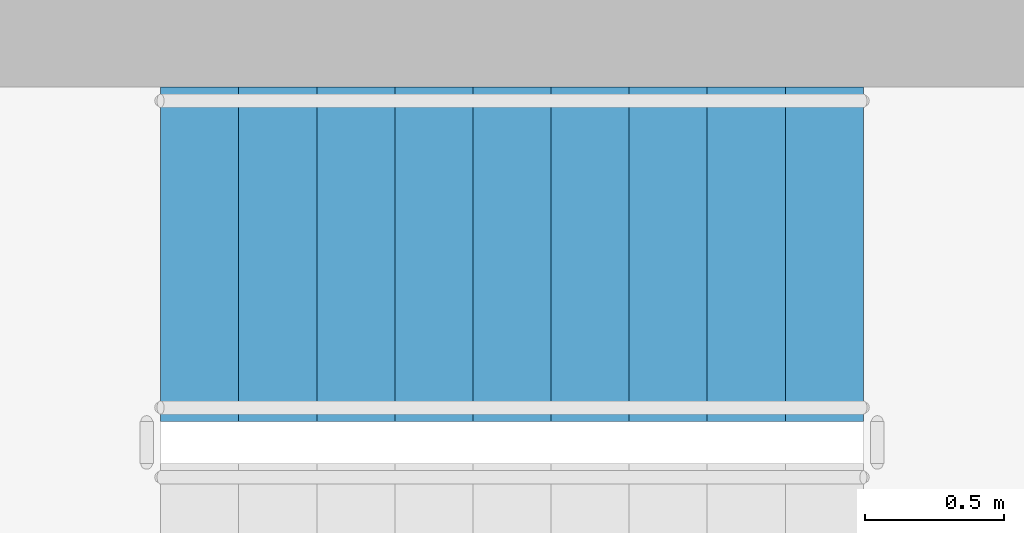
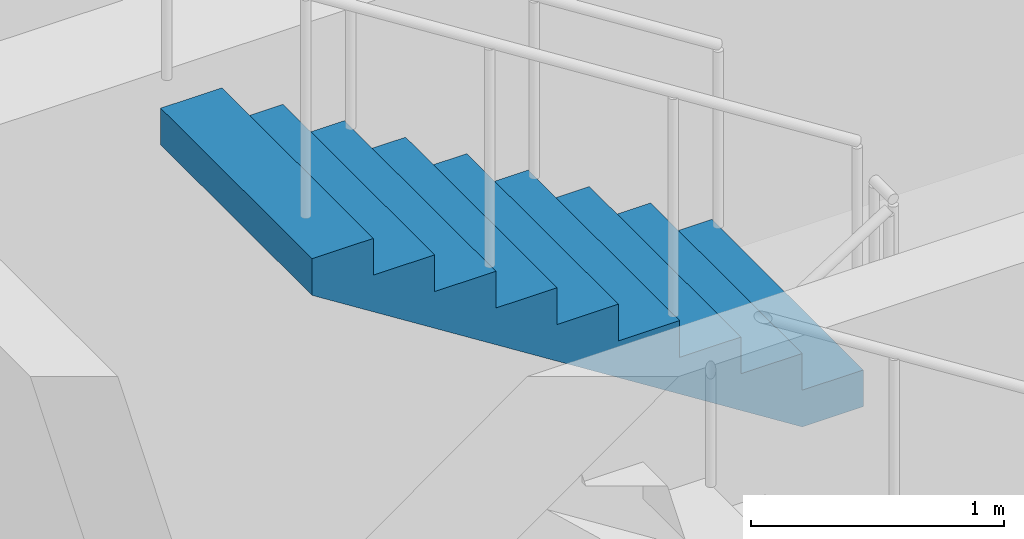
# One storey, part 10 of 14: 1 stair flight, 1 element without a shape of its own.
"""IFC4 building model written with IfcOpenShell, lengths in metres."""

import ifcopenshell
import ifcopenshell.guid

model = None  # the IFC model being written
_history = None  # IfcOwnerHistory: only IFC2X3 demands one
_inside = {}  # id of a spatial element -> (the spatial element, [elements in it])
_under = {}  # id of a project, library or spatial element -> (it, [spatial elements below it])
_declared = {}  # id of a project -> (the project, [libraries it declares])
_typed = {}  # id of a type object -> (the type object, [elements of that type])
_made_of = {}  # id of a material, layer set ... -> (it, [elements and type objects made of it])


def new_model(schema):
    """Start an empty IFC model of exactly this schema.

    Asked for "IFC4X3", IfcOpenShell would pick the latest addendum, in which some entities
    have other attributes; the version numbers below select the first issue.
    IFC2X3 requires an IfcOwnerHistory on every rooted entity: one is made here for all.
    """
    global model, _history
    if schema == "IFC4X3":
        model = ifcopenshell.file(schema_version=(4, 3, 0, 0))
    else:
        model = ifcopenshell.file(schema=schema)
    _inside.clear()
    _under.clear()
    _declared.clear()
    _typed.clear()
    _made_of.clear()
    _history = None
    if model.schema == "IFC2X3":
        org = make("IfcOrganization", Name="unknown")
        user = make(
            "IfcPersonAndOrganization",
            ThePerson=make("IfcPerson", FamilyName="unknown"),
            TheOrganization=org,
        )
        app = make(
            "IfcApplication",
            ApplicationDeveloper=org,
            Version="unknown",
            ApplicationFullName="unknown",
            ApplicationIdentifier="unknown",
        )
        _history = make(
            "IfcOwnerHistory",
            OwningUser=user,
            OwningApplication=app,
            ChangeAction="ADDED",
            CreationDate=0,
        )
    return model


def make(cls, **values):
    """One entity of the class cls with the attributes given. An attribute that is None is left unset."""
    return model.create_entity(
        cls, **{name: value for name, value in values.items() if value is not None}
    )


def rooted(cls, **values):
    """An entity with a GlobalId (a new one), such as an element, a storey or a relation."""
    return make(cls, GlobalId=ifcopenshell.guid.new(), OwnerHistory=_history, **values)


def si_unit(unit_type, name, prefix=None):
    """IfcSIUnit, for example si_unit("LENGTHUNIT", "METRE", prefix="MILLI")."""
    return make("IfcSIUnit", UnitType=unit_type, Prefix=prefix, Name=name)


def assignment(units):
    """IfcUnitAssignment: the units of a project."""
    return None if units is None else make("IfcUnitAssignment", Units=units)


def point(xyz):
    """IfcCartesianPoint."""
    return None if xyz is None else make("IfcCartesianPoint", Coordinates=xyz)


def direction(xyz):
    """IfcDirection."""
    return None if xyz is None else make("IfcDirection", DirectionRatios=xyz)


def frame(location, z_axis=None, x_axis=None):
    """IfcAxis2Placement3D, a coordinate frame: its origin and axes. An axis left out is left unset."""
    return make(
        "IfcAxis2Placement3D",
        Location=point(location),
        Axis=direction(z_axis),
        RefDirection=direction(x_axis),
    )


def origin():
    """The frame at (0, 0, 0) with its axes left unset."""
    return frame((0.0, 0.0, 0.0))


def place(relative_to, where):
    """IfcLocalPlacement: puts the frame where relative to a parent placement (None: the world)."""
    return make(
        "IfcLocalPlacement", PlacementRelTo=relative_to, RelativePlacement=where
    )


def context(
    kind, dimensions, precision=None, world=None, true_north=None, identifier=None
):
    """IfcGeometricRepresentationContext, for example the 3D "Model" context."""
    return make(
        "IfcGeometricRepresentationContext",
        ContextIdentifier=identifier,
        ContextType=kind,
        CoordinateSpaceDimension=dimensions,
        Precision=precision,
        WorldCoordinateSystem=world,
        TrueNorth=true_north,
    )


def subcontext(parent, identifier, kind, view, scale=None):
    """IfcGeometricRepresentationSubContext, for example "Body" below "Model"."""
    return make(
        "IfcGeometricRepresentationSubContext",
        ContextIdentifier=identifier,
        ContextType=kind,
        ParentContext=parent,
        TargetScale=scale,
        TargetView=view,
    )


def project(units=None, contexts=None):
    """IfcProject with its units and contexts."""
    return rooted(
        "IfcProject",
        Name="project",
        RepresentationContexts=contexts,
        UnitsInContext=assignment(units),
    )


def spatial(cls, under=None, at=None, **own):
    """A site, building, storey or space (cls), placed at a placement, below another one or the project."""
    s = rooted(cls, ObjectPlacement=at, **own)
    if under is not None:
        _under.setdefault(under.id(), (under, []))[1].append(s)
    return s


def polyline(points):
    """IfcPolyline through the points."""
    return make("IfcPolyline", Points=[point(p) for p in points])


def outline(outer, holes=None, kind="AREA"):
    """IfcArbitraryClosedProfileDef: a profile drawn as a closed curve; with holes, ...WithVoids."""
    if holes is None:
        return make("IfcArbitraryClosedProfileDef", ProfileType=kind, OuterCurve=outer)
    return make(
        "IfcArbitraryProfileDefWithVoids",
        ProfileType=kind,
        OuterCurve=outer,
        InnerCurves=holes,
    )


def extrude(swept, where, along, depth):
    """IfcExtrudedAreaSolid: the profile swept, set in the frame where, extruded along a direction by depth."""
    return make(
        "IfcExtrudedAreaSolid",
        SweptArea=swept,
        Position=where,
        ExtrudedDirection=direction(along),
        Depth=depth,
    )


def shape(context_of_items, identifier, shape_type, items):
    """IfcShapeRepresentation: the items that make up one representation, for example the "Body"."""
    return make(
        "IfcShapeRepresentation",
        ContextOfItems=context_of_items,
        RepresentationIdentifier=identifier,
        RepresentationType=shape_type,
        Items=items,
    )


def material(Name=None, Category=None):
    """IfcMaterial."""
    return make("IfcMaterial", Name=Name, Category=Category)


def made_of(thing, what):
    """Note that an element or type object is made of a material, layer set ...; save() writes the relation."""
    if what is not None:
        _made_of.setdefault(what.id(), (what, []))[1].append(thing)
    return thing


def type_object(cls, material=None, **own):
    """A type object (cls), such as IfcWallType, which elements share."""
    return made_of(rooted(cls, **own), material)


def element(
    cls,
    number,
    at=None,
    inside=None,
    cuts=None,
    type_object=None,
    material=None,
    context=None,
    identifier="Body",
    shape_type=None,
    held_by="IfcProductDefinitionShape",
    body=None,
    shapes=None,
    **own,
):
    """One element of the class cls, such as IfcWall. Its Tag is "e" and its number.

    at: its placement. inside: the storey or other place that contains it. cuts: it is an
    opening in that element (IfcRelVoidsElement). A single representation is given by context,
    identifier, shape_type and body (its items); several are given by shapes. held_by: the class
    of the entity that holds the representations. save() writes the other relations.
    """
    e = rooted(cls, Tag="e%d" % number, ObjectPlacement=at, **own)
    if body is not None:
        shapes = [shape(context, identifier, shape_type, body)]
    if shapes is not None:
        e.Representation = make(held_by, Representations=shapes)
    if inside is not None:
        _inside.setdefault(inside.id(), (inside, []))[1].append(e)
    if cuts is not None:
        rooted(
            "IfcRelVoidsElement", RelatingBuildingElement=cuts, RelatedOpeningElement=e
        )
    if type_object is not None:
        _typed.setdefault(type_object.id(), (type_object, []))[1].append(e)
    return made_of(e, material)


def aggregate(whole, parts):
    """IfcRelAggregates: a whole, such as a stair, and the parts it consists of."""
    return rooted("IfcRelAggregates", RelatingObject=whole, RelatedObjects=parts)


def save(model, path):
    """Write the relations noted so far, then the file.

    IfcRelAggregates (storeys below a building ...), IfcRelContainedInSpatialStructure (elements
    in a storey), IfcRelDefinesByType, IfcRelAssociatesMaterial and IfcRelDeclares: one each for
    every whole, place, type object, material and project.
    """
    for whole, parts in _under.values():
        aggregate(whole, parts)
    for where, things in _inside.values():
        rooted(
            "IfcRelContainedInSpatialStructure",
            RelatedElements=things,
            RelatingStructure=where,
        )
    for kind, things in _typed.values():
        rooted("IfcRelDefinesByType", RelatedObjects=things, RelatingType=kind)
    for what, things in _made_of.values():
        rooted("IfcRelAssociatesMaterial", RelatedObjects=things, RelatingMaterial=what)
    for by, libraries in _declared.values():
        rooted("IfcRelDeclares", RelatingContext=by, RelatedDefinitions=libraries)
    model.write(path)


model = new_model("IFC4")

# Units and contexts
model_context = context("Model", 3, precision=1e-05, world=origin(), true_north=direction((0.0, 1.0)))
body_context = subcontext(model_context, "Body", "Model", "MODEL_VIEW")
ifc_project = project(units=[si_unit("LENGTHUNIT", "METRE"), si_unit("AREAUNIT", "SQUARE_METRE"), si_unit("VOLUMEUNIT", "CUBIC_METRE"), si_unit("PLANEANGLEUNIT", "RADIAN"), si_unit("MASSUNIT", "GRAM", prefix="KILO")], contexts=[model_context])

# Site, building, storey
site_placement = place(None, origin())
site = spatial("IfcSite", under=ifc_project, at=site_placement, CompositionType="ELEMENT")
building_placement = place(site_placement, origin())
building = spatial("IfcBuilding", under=site, at=building_placement, Name="Ostrand Prow Hotel Tower", CompositionType="ELEMENT")
storey_placement = place(building_placement, frame((0.0, 0.0, 278.550048828125)))
storey = spatial("IfcBuildingStorey", under=building, at=storey_placement, Name="L70", CompositionType="ELEMENT", Elevation=278.550048828125)

# Stair, stair flight
ifc_material_1 = material(Name="Concrete C40/50", Category="concrete")
stair_type = type_object("IfcStairType", Name="Exit stair 1200 upper zone", PredefinedType="HALF_TURN_STAIR", material=ifc_material_1)
stair_placement = place(storey_placement, origin())
stair = element("IfcStair", 1, at=stair_placement, inside=storey, type_object=stair_type, Name="L70 ST3C", PredefinedType="HALF_TURN_STAIR")
ifc_material_2 = material(Name="Concrete C40/50", Category="concrete")
stair_flight_type = type_object("IfcStairFlightType", Name="Stair flight 1200 concrete", PredefinedType="STRAIGHT", material=ifc_material_2)
stair_flight_placement = place(storey_placement, frame((59.719970703125, 15.14990234375, 1.77490234375), z_axis=(0.0, 0.0, 1.0), x_axis=(-1.0, 0.0, 0.0)))
stair_flight = element("IfcStairFlight", 2, at=stair_flight_placement, type_object=stair_flight_type, Name="ST3C flight 2", NumberOfRisers=10, NumberOfTreads=9, PredefinedType="STRAIGHT", RiserHeight=0.1775, TreadLength=0.28, context=body_context, shape_type="SweptSolid", body=[
    extrude(outline(polyline([(0.0, 0.0), (0.0, 0.177490234375), (0.280029296875, 0.177490234375), (0.280029296875, 0.35498046875), (0.56005859375, 0.35498046875), (0.56005859375, 0.532470703125), (0.840087890625, 0.532470703125), (0.840087890625, 0.7099609375), (1.1201171875, 0.7099609375), (1.1201171875, 0.887451171875), (1.39990234375, 0.887451171875), (1.39990234375, 1.06494140625), (1.679931640625, 1.06494140625), (1.679931640625, 1.242431640625), (1.9599609375, 1.242431640625), (1.9599609375, 1.419921875), (2.239990234375, 1.419921875), (2.239990234375, 1.597412109375), (2.52001953125, 1.597412109375), (2.52001953125, 1.77490234375), (2.52001953125, 1.419921875), (0.280029296875, 0.0), (0.0, 0.0)])), frame((0.0, 0.60009765625, 0.0), z_axis=(0.0, -1.0, 0.0), x_axis=(1.0, 0.0, 0.0)), (0.0, 0.0, 1.0), 1.199951171875),
])
aggregate(stair, [stair_flight])

save(model, "model.ifc")
